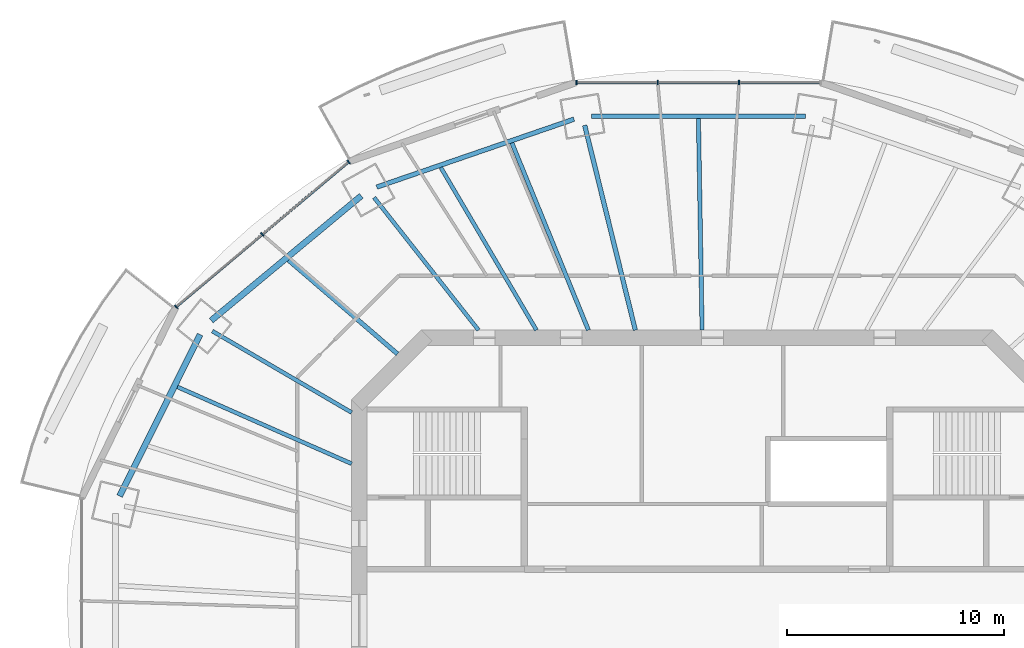
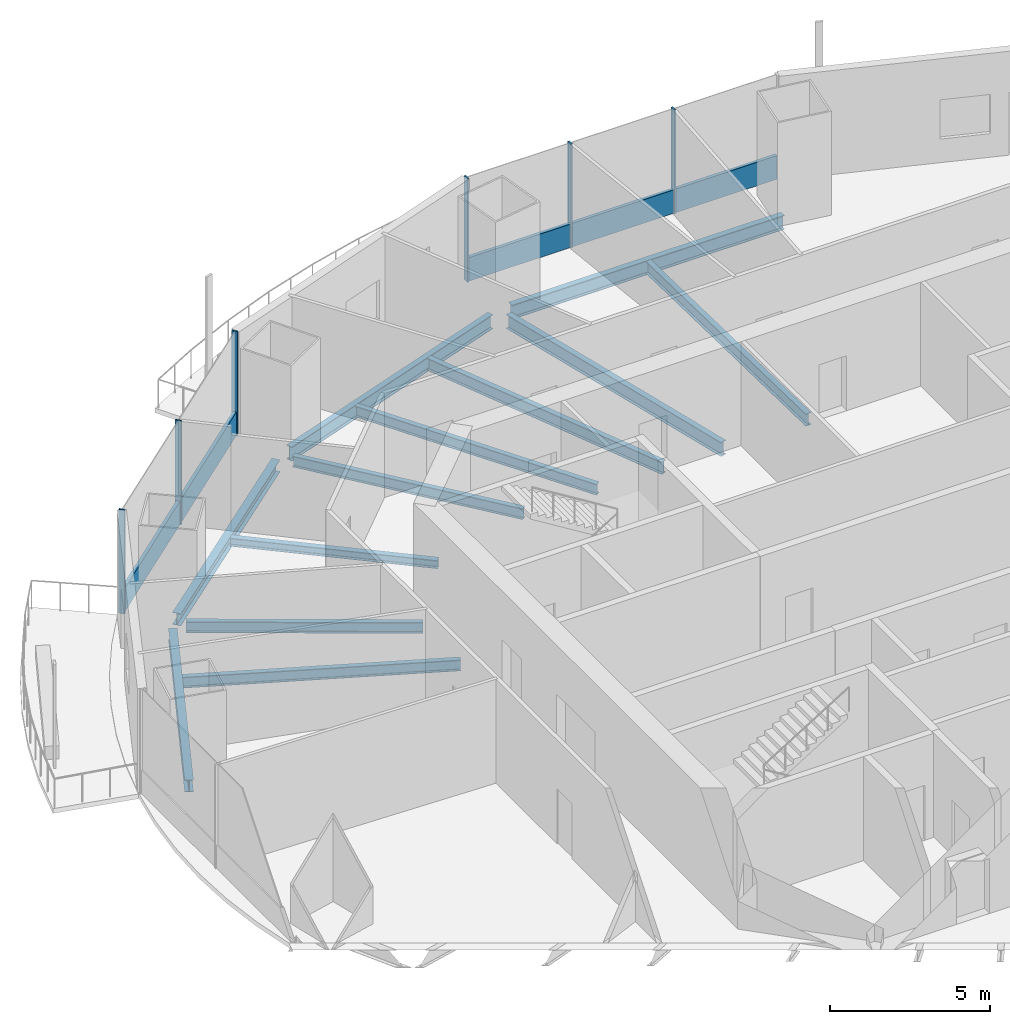
# One storey, part 5 of 16: 12 beams, 8 members, 2 elements without a shape of their own.
"""IFC4 building model written with IfcOpenShell, lengths in metres."""

from ifc_helpers import new_model, si_unit, direction, frame, origin, origin_2d, place, context, subcontext, project, spatial, rectangle, i_section, extrude, material, material_profile, profile_set, type_object, element, aggregate, save


model = new_model("IFC4")

# Units and contexts
model_context = context("Model", 3, precision=1e-05, world=origin(), true_north=direction((0.0, 1.0)))
body_context = subcontext(model_context, "Body", "Model", "MODEL_VIEW")
ifc_project = project(units=[si_unit("LENGTHUNIT", "METRE"), si_unit("AREAUNIT", "SQUARE_METRE"), si_unit("VOLUMEUNIT", "CUBIC_METRE"), si_unit("PLANEANGLEUNIT", "RADIAN"), si_unit("MASSUNIT", "GRAM", prefix="KILO")], contexts=[model_context])

# Site, building, storey
site_placement = place(None, origin())
site = spatial("IfcSite", under=ifc_project, at=site_placement, CompositionType="ELEMENT")
building_placement = place(site_placement, origin())
building = spatial("IfcBuilding", under=site, at=building_placement, Name="Marenthal Gate Tower", CompositionType="ELEMENT")
storey_placement = place(building_placement, frame((0.0, 0.0, 288.64990234375)))
storey = spatial("IfcBuildingStorey", under=building, at=storey_placement, Name="L64", CompositionType="ELEMENT", Elevation=288.64990234375)

# Curtain wall, members
ifc_material_1 = material(Name="Aluminium and glass", Category="aluminium")
curtain_wall_type = type_object("IfcCurtainWallType", Name="Curtain wall typical high", PredefinedType="NOTDEFINED", material=ifc_material_1)
curtain_wall_1_placement = place(storey_placement, origin())
curtain_wall_1 = element("IfcCurtainWall", 1, at=curtain_wall_1_placement, inside=storey, type_object=curtain_wall_type, Name="Curtain wall L64 bay 4", PredefinedType="NOTDEFINED")
ifc_material_2 = material(Name="Aluminium", Category="aluminium")
ifc_material_profile_1 = material_profile(ifc_material_2, rectangle(XDim=0.199951171875, YDim=0.06005859375, at=origin_2d()), Name="60x200 aluminium mullion")
ifc_profile_set_1 = profile_set([ifc_material_profile_1], Name="Aluminium")
member_type_1 = type_object("IfcMemberType", Name="Mullion 60x200 typical high", PredefinedType="MULLION", material=ifc_profile_set_1)
member_1_placement = place(storey_placement, frame((1.470458984375, 24.736083984375, 0.0), z_axis=(0.0, 0.0, 1.0), x_axis=(0.0, -1.0, 0.0)))
member_1 = element("IfcMember", 2, at=member_1_placement, type_object=member_type_1, Name="Mullion L64 bay 4.2", PredefinedType="MULLION", context=body_context, shape_type="SweptSolid", body=[
    extrude(rectangle(XDim=0.199951171875, YDim=0.06005859375, at=origin_2d()), origin(), (0.0, 0.0, 1.0), 3.97021484375),
])
member_2_placement = place(storey_placement, frame((-2.2705078125, 24.736083984375, 0.0), z_axis=(0.0, 0.0, 1.0), x_axis=(0.0, -1.0, 0.0)))
member_2 = element("IfcMember", 3, at=member_2_placement, type_object=member_type_1, Name="Mullion L64 bay 4.3", PredefinedType="MULLION", context=body_context, shape_type="SweptSolid", body=[
    extrude(rectangle(XDim=0.199951171875, YDim=0.06005859375, at=origin_2d()), origin(), (0.0, 0.0, 1.0), 3.97021484375),
])
member_3_placement = place(storey_placement, frame((-6.01171875, 24.736083984375, 0.0), z_axis=(0.0, 0.0, 1.0), x_axis=(0.0, -1.0, 0.0)))
member_3 = element("IfcMember", 4, at=member_3_placement, type_object=member_type_1, Name="Mullion L64 bay 4.4", PredefinedType="MULLION", context=body_context, shape_type="SweptSolid", body=[
    extrude(rectangle(XDim=0.199951171875, YDim=0.06005859375, at=origin_2d()), origin(), (0.0, 0.0, 1.0), 3.97021484375),
])

curtain_wall_2_placement = place(storey_placement, origin())
curtain_wall_2 = element("IfcCurtainWall", 5, at=curtain_wall_2_placement, inside=storey, type_object=curtain_wall_type, Name="Curtain wall L64 bay 6", PredefinedType="NOTDEFINED")
member_4_placement = place(storey_placement, frame((-16.489013671875, 21.087890625, 0.0), z_axis=(0.0, 0.0, 1.0), x_axis=(0.643380191367, -0.76554681722, 0.0)))
member_4 = element("IfcMember", 6, at=member_4_placement, type_object=member_type_1, Name="Mullion L64 bay 6.1", PredefinedType="MULLION", context=body_context, shape_type="SweptSolid", body=[
    extrude(rectangle(XDim=0.199951171875, YDim=0.06005859375, at=origin_2d()), origin(), (0.0, 0.0, 1.0), 3.97021484375),
])
member_5_placement = place(storey_placement, frame((-20.455078125, 17.754638671875, 0.0), z_axis=(0.0, 0.0, 1.0), x_axis=(0.643380191367, -0.76554681722, 0.0)))
member_5 = element("IfcMember", 7, at=member_5_placement, type_object=member_type_1, Name="Mullion L64 bay 6.2", PredefinedType="MULLION", context=body_context, shape_type="SweptSolid", body=[
    extrude(rectangle(XDim=0.199951171875, YDim=0.06005859375, at=origin_2d()), origin(), (0.0, 0.0, 1.0), 3.97021484375),
])
member_6_placement = place(storey_placement, frame((-24.42138671875, 14.42138671875, 0.0), z_axis=(0.0, 0.0, 1.0), x_axis=(0.643380191367, -0.76554681722, 0.0)))
member_6 = element("IfcMember", 8, at=member_6_placement, type_object=member_type_1, Name="Mullion L64 bay 6.3", PredefinedType="MULLION", context=body_context, shape_type="SweptSolid", body=[
    extrude(rectangle(XDim=0.199951171875, YDim=0.06005859375, at=origin_2d()), origin(), (0.0, 0.0, 1.0), 3.97021484375),
])

# Member
ifc_material_3 = material(Name="Aluminium", Category="aluminium")
ifc_material_profile_2 = material_profile(ifc_material_3, rectangle(XDim=0.1201171875, YDim=0.89990234375, at=origin_2d()), Name="120x900 aluminium transom")
ifc_profile_set_2 = profile_set([ifc_material_profile_2], Name="Aluminium")
member_type_2 = type_object("IfcMemberType", Name="Transom 120x900 typical high", PredefinedType="USERDEFINED", material=ifc_profile_set_2)
member_7_placement = place(storey_placement, frame((5.181640625, 24.736083984375, 0.4501953125), z_axis=(-1.0, 0.0, 0.0), x_axis=(0.0, -1.0, 0.0)))
member_7 = element("IfcMember", 9, at=member_7_placement, type_object=member_type_2, Name="Transom L64 bay 4", ObjectType="TRANSOM", PredefinedType="USERDEFINED", context=body_context, shape_type="SweptSolid", body=[
    extrude(rectangle(XDim=0.1201171875, YDim=0.89990234375, at=origin_2d()), origin(), (0.0, 0.0, 1.0), 11.163330078125),
])

aggregate(curtain_wall_1, [member_1, member_2, member_3, member_7])

member_8_placement = place(storey_placement, frame((-16.511962890625, 21.068603515625, 0.4501953125), z_axis=(-0.765547508353, -0.643379368999, 0.0), x_axis=(0.643379368999, -0.765547508353, 0.0)))
member_8 = element("IfcMember", 10, at=member_8_placement, type_object=member_type_2, Name="Transom L64 bay 6", ObjectType="TRANSOM", PredefinedType="USERDEFINED", context=body_context, shape_type="SweptSolid", body=[
    extrude(rectangle(XDim=0.1201171875, YDim=0.89990234375, at=origin_2d()), origin(), (0.0, 0.0, 1.0), 10.3017578125),
])

aggregate(curtain_wall_2, [member_4, member_5, member_6, member_8])

# Beams
ifc_material_4 = material(Name="Steel S355", Category="steel")
ifc_material_profile_3 = material_profile(ifc_material_4, i_section(OverallWidth=0.205078125, OverallDepth=0.31005859375, WebThickness=0.009521484375, FlangeThickness=0.016357421875, FilletRadius=0.0126953125, at=origin_2d()), Name="W310X74")
ifc_profile_set_3 = profile_set([ifc_material_profile_3], Name="Steel S355")
beam_type_1 = type_object("IfcBeamType", Name="W310X74 beam", PredefinedType="BEAM", material=ifc_profile_set_3)
beam_1_placement = place(storey_placement, frame((-19.252197265625, 16.566650390625, -0.3349609375), z_axis=(0.757988370944, -0.652268065686, 0.0), x_axis=(0.652268065686, 0.757988370944, 0.0)))
element("IfcBeam", 11, at=beam_1_placement, inside=storey, type_object=beam_type_1, Name="BM-L64-25", PredefinedType="BEAM", context=body_context, shape_type="SweptSolid", body=[
    extrude(i_section(OverallWidth=0.205078125, OverallDepth=0.31005859375, WebThickness=0.009521484375, FlangeThickness=0.016357421875, FilletRadius=0.0126953125, at=origin_2d()), origin(), (0.0, 0.0, 1.0), 6.611572265625),
])
ifc_material_5 = material(Name="Steel S355", Category="steel")
ifc_material_profile_4 = material_profile(ifc_material_5, i_section(OverallWidth=0.180908203125, OverallDepth=0.4169921875, WebThickness=0.010986328125, FlangeThickness=0.018310546875, FilletRadius=0.01025390625, at=origin_2d()), Name="W410X85")
ifc_profile_set_4 = profile_set([ifc_material_profile_4], Name="Steel S355")
beam_type_2 = type_object("IfcBeamType", Name="W410X85 beam", PredefinedType="BEAM", material=ifc_profile_set_4)
beam_2_placement = place(storey_placement, frame((-15.31787109375, 19.4501953125, -0.388427734375), z_axis=(0.618718192815, -0.785613007708, 0.0), x_axis=(0.785613007708, 0.618718192815, 0.0)))
element("IfcBeam", 12, at=beam_2_placement, inside=storey, type_object=beam_type_2, Name="BM-L64-06", PredefinedType="BEAM", context=body_context, shape_type="SweptSolid", body=[
    extrude(i_section(OverallWidth=0.180908203125, OverallDepth=0.4169921875, WebThickness=0.010986328125, FlangeThickness=0.018310546875, FilletRadius=0.01025390625, at=origin_2d()), origin(), (0.0, 0.0, 1.0), 7.7646484375),
])
beam_3_placement = place(storey_placement, frame((-22.7548828125, 13.304443359375, -0.388427734375), z_axis=(0.863265250165, -0.504750540226, 0.0), x_axis=(0.504750540226, 0.863265250165, 0.0)))
element("IfcBeam", 13, at=beam_3_placement, inside=storey, type_object=beam_type_2, Name="BM-L64-07", PredefinedType="BEAM", context=body_context, shape_type="SweptSolid", body=[
    extrude(i_section(OverallWidth=0.180908203125, OverallDepth=0.4169921875, WebThickness=0.010986328125, FlangeThickness=0.018310546875, FilletRadius=0.01025390625, at=origin_2d()), origin(), (0.0, 0.0, 1.0), 7.419189453125),
])
beam_4_placement = place(storey_placement, frame((-12.248291015625, 20.831298828125, -0.388427734375), z_axis=(0.506846770784, -0.862036165683, 0.0), x_axis=(0.862036165684, 0.506846770784, 0.0)))
element("IfcBeam", 14, at=beam_4_placement, inside=storey, type_object=beam_type_2, Name="BM-L64-24", PredefinedType="BEAM", context=body_context, shape_type="SweptSolid", body=[
    extrude(i_section(OverallWidth=0.180908203125, OverallDepth=0.4169921875, WebThickness=0.010986328125, FlangeThickness=0.018310546875, FilletRadius=0.01025390625, at=origin_2d()), origin(), (0.0, 0.0, 1.0), 8.678466796875),
])
beam_5_placement = place(storey_placement, frame((-24.363525390625, 10.737548828125, -0.388427734375), z_axis=(0.91506944586, -0.403296304537, 0.0), x_axis=(0.403296304537, 0.91506944586, 0.0)))
element("IfcBeam", 15, at=beam_5_placement, inside=storey, type_object=beam_type_2, Name="BM-L64-26", PredefinedType="BEAM", context=body_context, shape_type="SweptSolid", body=[
    extrude(i_section(OverallWidth=0.180908203125, OverallDepth=0.4169921875, WebThickness=0.010986328125, FlangeThickness=0.018310546875, FilletRadius=0.01025390625, at=origin_2d()), origin(), (0.0, 0.0, 1.0), 8.757080078125),
])
ifc_material_6 = material(Name="Steel S355", Category="steel")
ifc_material_profile_5 = material_profile(ifc_material_6, i_section(OverallWidth=0.279052734375, OverallDepth=0.4619140625, WebThickness=0.0107421875, FlangeThickness=0.017333984375, FilletRadius=0.010009765625, at=origin_2d()), Name="W460X113")
ifc_profile_set_5 = profile_set([ifc_material_profile_5], Name="Steel S355")
beam_type_3 = type_object("IfcBeamType", Name="W460X113 beam", PredefinedType="BEAM", material=ifc_profile_set_5)
beam_6_placement = place(storey_placement, frame((-15.907958984375, 19.527587890625, -0.410888671875), z_axis=(-0.769034611426, -0.639207138906, 0.0), x_axis=(0.639207138906, -0.769034611426, 0.0)))
element("IfcBeam", 16, at=beam_6_placement, inside=storey, type_object=beam_type_3, Name="BM-L64-46", PredefinedType="BEAM", context=body_context, shape_type="SweptSolid", body=[
    extrude(i_section(OverallWidth=0.279052734375, OverallDepth=0.4619140625, WebThickness=0.0107421875, FlangeThickness=0.017333984375, FilletRadius=0.010009765625, at=origin_2d()), origin(), (0.0, 0.0, 1.0), 8.9736328125),
])
beam_7_placement = place(storey_placement, frame((-23.318603515625, 13.147216796875, -0.410888671875), z_axis=(-0.446025836929, -0.895020085133, 0.0), x_axis=(0.895020085133, -0.446025836929, 0.0)))
element("IfcBeam", 17, at=beam_7_placement, inside=storey, type_object=beam_type_3, Name="BM-L64-47", PredefinedType="BEAM", context=body_context, shape_type="SweptSolid", body=[
    extrude(i_section(OverallWidth=0.279052734375, OverallDepth=0.4619140625, WebThickness=0.0107421875, FlangeThickness=0.017333984375, FilletRadius=0.010009765625, at=origin_2d()), origin(), (0.0, 0.0, 1.0), 8.306884765625),
])
ifc_material_7 = material(Name="Steel S355", Category="steel")
ifc_material_profile_6 = material_profile(ifc_material_7, i_section(OverallWidth=0.193115234375, OverallDepth=0.467041015625, WebThickness=0.011474609375, FlangeThickness=0.01904296875, FilletRadius=0.010009765625, at=origin_2d()), Name="W460X97")
ifc_profile_set_6 = profile_set([ifc_material_profile_6], Name="Steel S355")
beam_type_4 = type_object("IfcBeamType", Name="W460X97 beam", PredefinedType="BEAM", material=ifc_profile_set_6)
beam_8_placement = place(storey_placement, frame((-0.398193359375, 23.080322265625, -0.413330078125), z_axis=(0.017260005322, -0.999851035013, 0.0), x_axis=(0.999851035013, 0.017260005322, 0.0)))
element("IfcBeam", 18, at=beam_8_placement, inside=storey, type_object=beam_type_4, Name="BM-L64-22", PredefinedType="BEAM", context=body_context, shape_type="SweptSolid", body=[
    extrude(i_section(OverallWidth=0.193115234375, OverallDepth=0.467041015625, WebThickness=0.011474609375, FlangeThickness=0.01904296875, FilletRadius=0.010009765625, at=origin_2d()), origin(), (0.0, 0.0, 1.0), 9.731689453125),
])
beam_9_placement = place(storey_placement, frame((-8.97802734375, 21.95703125, -0.413330078125), z_axis=(0.378473355227, -0.925612186276, 0.0), x_axis=(0.925612186276, 0.378473355227, 0.0)))
element("IfcBeam", 19, at=beam_9_placement, inside=storey, type_object=beam_type_4, Name="BM-L64-23", PredefinedType="BEAM", context=body_context, shape_type="SweptSolid", body=[
    extrude(i_section(OverallWidth=0.193115234375, OverallDepth=0.467041015625, WebThickness=0.011474609375, FlangeThickness=0.01904296875, FilletRadius=0.010009765625, at=origin_2d()), origin(), (0.0, 0.0, 1.0), 9.298583984375),
])
ifc_material_8 = material(Name="Steel S355", Category="steel")
ifc_material_profile_7 = material_profile(ifc_material_8, i_section(OverallWidth=0.2099609375, OverallDepth=0.535888671875, WebThickness=0.010986328125, FlangeThickness=0.017333984375, FilletRadius=0.0126953125, at=origin_2d()), Name="W530X101")
ifc_profile_set_7 = profile_set([ifc_material_profile_7], Name="Steel S355")
beam_type_5 = type_object("IfcBeamType", Name="W530X101 beam", PredefinedType="BEAM", material=ifc_profile_set_7)
beam_10_placement = place(storey_placement, frame((-5.630615234375, 22.77099609375, -0.447998046875), z_axis=(0.240048718666, -0.970760842158, 0.0), x_axis=(0.970760842158, 0.240048718666, 0.0)))
element("IfcBeam", 20, at=beam_10_placement, inside=storey, type_object=beam_type_5, Name="BM-L64-05", PredefinedType="BEAM", context=body_context, shape_type="SweptSolid", body=[
    extrude(i_section(OverallWidth=0.2099609375, OverallDepth=0.535888671875, WebThickness=0.010986328125, FlangeThickness=0.017333984375, FilletRadius=0.0126953125, at=origin_2d()), origin(), (0.0, 0.0, 1.0), 9.70458984375),
])
ifc_material_9 = material(Name="Steel S355", Category="steel")
ifc_material_profile_8 = material_profile(ifc_material_9, i_section(OverallWidth=0.2119140625, OverallDepth=0.5439453125, WebThickness=0.01318359375, FlangeThickness=0.021240234375, FilletRadius=0.0126953125, at=origin_2d()), Name="W530X123")
ifc_profile_set_8 = profile_set([ifc_material_profile_8], Name="Steel S355")
beam_type_6 = type_object("IfcBeamType", Name="W530X123 beam", PredefinedType="BEAM", material=ifc_profile_set_8)
beam_11_placement = place(storey_placement, frame((4.521240234375, 23.186279296875, -0.451904296875), z_axis=(-1.0, 0.0, 0.0), x_axis=(0.0, -1.0, 0.0)))
element("IfcBeam", 21, at=beam_11_placement, inside=storey, type_object=beam_type_6, Name="BM-L64-44", PredefinedType="BEAM", context=body_context, shape_type="SweptSolid", body=[
    extrude(i_section(OverallWidth=0.2119140625, OverallDepth=0.5439453125, WebThickness=0.01318359375, FlangeThickness=0.021240234375, FilletRadius=0.0126953125, at=origin_2d()), origin(), (0.0, 0.0, 1.0), 9.842529296875),
])
beam_12_placement = place(storey_placement, frame((-6.123779296875, 23.052001953125, -0.451904296875), z_axis=(-0.945528342473, -0.325539788013, 0.0), x_axis=(0.325539788013, -0.945528342473, 0.0)))
element("IfcBeam", 22, at=beam_12_placement, inside=storey, type_object=beam_type_6, Name="BM-L64-45", PredefinedType="BEAM", context=body_context, shape_type="SweptSolid", body=[
    extrude(i_section(OverallWidth=0.2119140625, OverallDepth=0.5439453125, WebThickness=0.01318359375, FlangeThickness=0.021240234375, FilletRadius=0.0126953125, at=origin_2d()), origin(), (0.0, 0.0, 1.0), 9.595703125),
])

save(model, "model.ifc")
